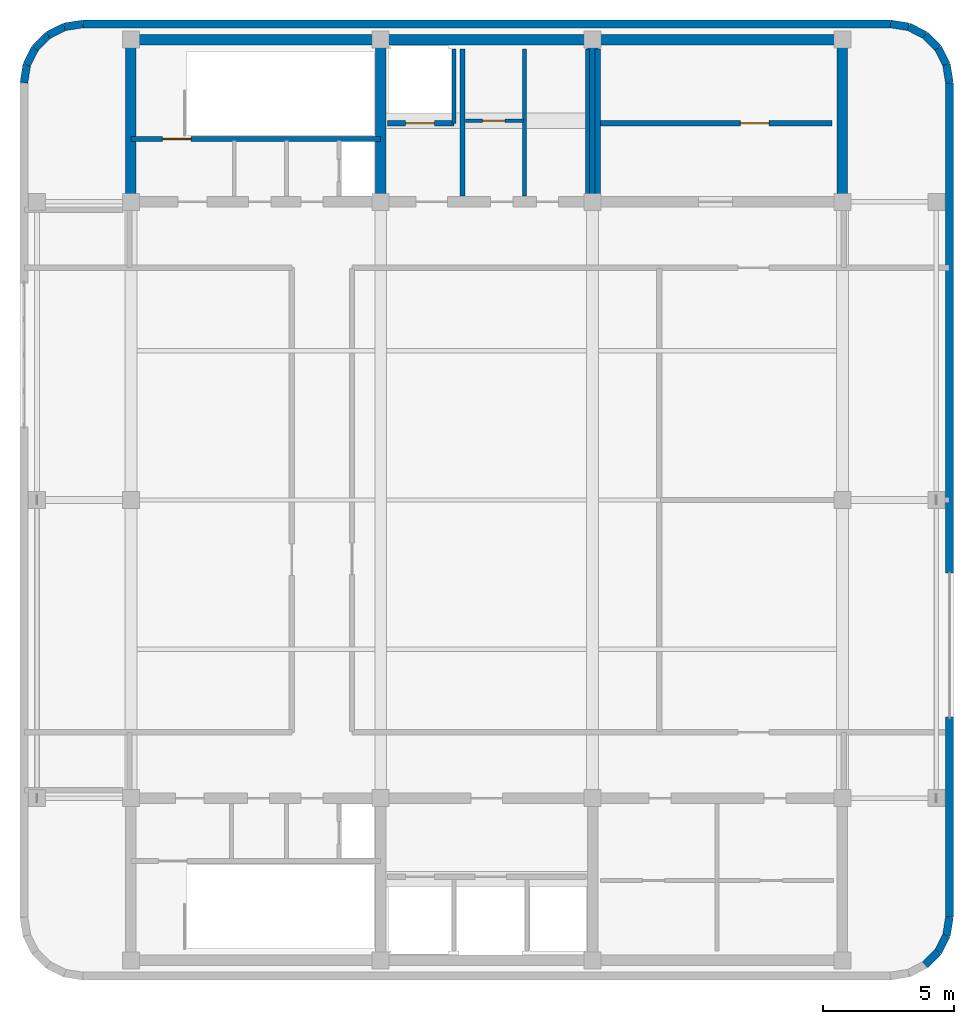
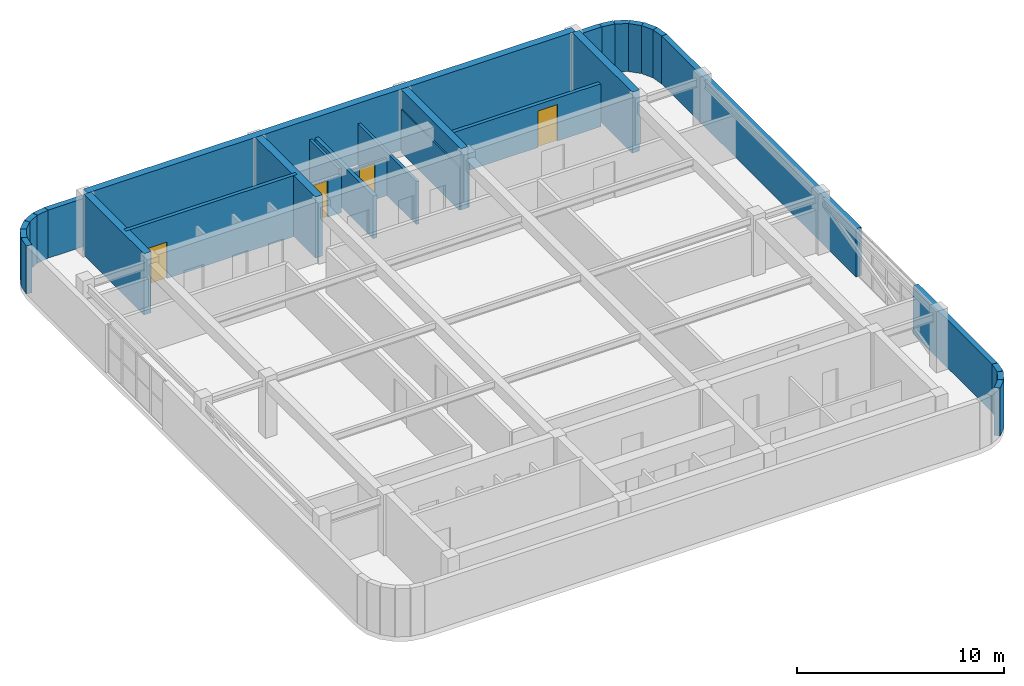
# One storey, part 6 of 9: 30 walls, 4 doors, 4 openings.
"""IFC4 building model written with IfcOpenShell, lengths in metres."""

import ifcopenshell
import ifcopenshell.guid

model = None  # the IFC model being written
_history = None  # IfcOwnerHistory: only IFC2X3 demands one
_inside = {}  # id of a spatial element -> (the spatial element, [elements in it])
_under = {}  # id of a project, library or spatial element -> (it, [spatial elements below it])
_declared = {}  # id of a project -> (the project, [libraries it declares])
_typed = {}  # id of a type object -> (the type object, [elements of that type])
_made_of = {}  # id of a material, layer set ... -> (it, [elements and type objects made of it])


def new_model(schema):
    """Start an empty IFC model of exactly this schema.

    Asked for "IFC4X3", IfcOpenShell would pick the latest addendum, in which some entities
    have other attributes; the version numbers below select the first issue.
    IFC2X3 requires an IfcOwnerHistory on every rooted entity: one is made here for all.
    """
    global model, _history
    if schema == "IFC4X3":
        model = ifcopenshell.file(schema_version=(4, 3, 0, 0))
    else:
        model = ifcopenshell.file(schema=schema)
    _inside.clear()
    _under.clear()
    _declared.clear()
    _typed.clear()
    _made_of.clear()
    _history = None
    if model.schema == "IFC2X3":
        org = make("IfcOrganization", Name="unknown")
        user = make(
            "IfcPersonAndOrganization",
            ThePerson=make("IfcPerson", FamilyName="unknown"),
            TheOrganization=org,
        )
        app = make(
            "IfcApplication",
            ApplicationDeveloper=org,
            Version="unknown",
            ApplicationFullName="unknown",
            ApplicationIdentifier="unknown",
        )
        _history = make(
            "IfcOwnerHistory",
            OwningUser=user,
            OwningApplication=app,
            ChangeAction="ADDED",
            CreationDate=0,
        )
    return model


def make(cls, **values):
    """One entity of the class cls with the attributes given. An attribute that is None is left unset."""
    return model.create_entity(
        cls, **{name: value for name, value in values.items() if value is not None}
    )


def rooted(cls, **values):
    """An entity with a GlobalId (a new one), such as an element, a storey or a relation."""
    return make(cls, GlobalId=ifcopenshell.guid.new(), OwnerHistory=_history, **values)


def si_unit(unit_type, name, prefix=None):
    """IfcSIUnit, for example si_unit("LENGTHUNIT", "METRE", prefix="MILLI")."""
    return make("IfcSIUnit", UnitType=unit_type, Prefix=prefix, Name=name)


def assignment(units):
    """IfcUnitAssignment: the units of a project."""
    return None if units is None else make("IfcUnitAssignment", Units=units)


def point(xyz):
    """IfcCartesianPoint."""
    return None if xyz is None else make("IfcCartesianPoint", Coordinates=xyz)


def direction(xyz):
    """IfcDirection."""
    return None if xyz is None else make("IfcDirection", DirectionRatios=xyz)


def frame(location, z_axis=None, x_axis=None):
    """IfcAxis2Placement3D, a coordinate frame: its origin and axes. An axis left out is left unset."""
    return make(
        "IfcAxis2Placement3D",
        Location=point(location),
        Axis=direction(z_axis),
        RefDirection=direction(x_axis),
    )


def frame_2d(location, x_axis=None):
    """IfcAxis2Placement2D, a coordinate frame in the plane: its origin and x axis."""
    return make(
        "IfcAxis2Placement2D", Location=point(location), RefDirection=direction(x_axis)
    )


def origin():
    """The frame at (0, 0, 0) with its axes left unset."""
    return frame((0.0, 0.0, 0.0))


def place(relative_to, where):
    """IfcLocalPlacement: puts the frame where relative to a parent placement (None: the world)."""
    return make(
        "IfcLocalPlacement", PlacementRelTo=relative_to, RelativePlacement=where
    )


def context(
    kind, dimensions, precision=None, world=None, true_north=None, identifier=None
):
    """IfcGeometricRepresentationContext, for example the 3D "Model" context."""
    return make(
        "IfcGeometricRepresentationContext",
        ContextIdentifier=identifier,
        ContextType=kind,
        CoordinateSpaceDimension=dimensions,
        Precision=precision,
        WorldCoordinateSystem=world,
        TrueNorth=true_north,
    )


def subcontext(parent, identifier, kind, view, scale=None):
    """IfcGeometricRepresentationSubContext, for example "Body" below "Model"."""
    return make(
        "IfcGeometricRepresentationSubContext",
        ContextIdentifier=identifier,
        ContextType=kind,
        ParentContext=parent,
        TargetScale=scale,
        TargetView=view,
    )


def project(units=None, contexts=None):
    """IfcProject with its units and contexts."""
    return rooted(
        "IfcProject",
        Name="project",
        RepresentationContexts=contexts,
        UnitsInContext=assignment(units),
    )


def spatial(cls, under=None, at=None, **own):
    """A site, building, storey or space (cls), placed at a placement, below another one or the project."""
    s = rooted(cls, ObjectPlacement=at, **own)
    if under is not None:
        _under.setdefault(under.id(), (under, []))[1].append(s)
    return s


def profile(cls, at=None, kind="AREA", **sizes):
    """A parametric profile (cls). Its sizes go by their IFC names, for example OverallWidth=200.0."""
    return make(cls, ProfileType=kind, Position=at, **sizes)


def rectangle(**sizes):
    """IfcRectangleProfileDef."""
    return profile("IfcRectangleProfileDef", **sizes)


def extrude(swept, where, along, depth):
    """IfcExtrudedAreaSolid: the profile swept, set in the frame where, extruded along a direction by depth."""
    return make(
        "IfcExtrudedAreaSolid",
        SweptArea=swept,
        Position=where,
        ExtrudedDirection=direction(along),
        Depth=depth,
    )


def shape(context_of_items, identifier, shape_type, items):
    """IfcShapeRepresentation: the items that make up one representation, for example the "Body"."""
    return make(
        "IfcShapeRepresentation",
        ContextOfItems=context_of_items,
        RepresentationIdentifier=identifier,
        RepresentationType=shape_type,
        Items=items,
    )


def material(Name=None, Category=None):
    """IfcMaterial."""
    return make("IfcMaterial", Name=Name, Category=Category)


def layer(
    of_material, thickness, ventilated=None, Name=None, Category=None, Priority=None
):
    """IfcMaterialLayer: one layer of a wall or slab, of a material (None: an air gap)."""
    return make(
        "IfcMaterialLayer",
        Material=of_material,
        LayerThickness=thickness,
        IsVentilated=ventilated,
        Name=Name,
        Category=Category,
        Priority=Priority,
    )


def layer_set(layers, Name=None):
    """IfcMaterialLayerSet."""
    return make("IfcMaterialLayerSet", MaterialLayers=layers, LayerSetName=Name)


def made_of(thing, what):
    """Note that an element or type object is made of a material, layer set ...; save() writes the relation."""
    if what is not None:
        _made_of.setdefault(what.id(), (what, []))[1].append(thing)
    return thing


def type_object(cls, material=None, **own):
    """A type object (cls), such as IfcWallType, which elements share."""
    return made_of(rooted(cls, **own), material)


def element(
    cls,
    number,
    at=None,
    inside=None,
    cuts=None,
    type_object=None,
    material=None,
    context=None,
    identifier="Body",
    shape_type=None,
    held_by="IfcProductDefinitionShape",
    body=None,
    shapes=None,
    **own,
):
    """One element of the class cls, such as IfcWall. Its Tag is "e" and its number.

    at: its placement. inside: the storey or other place that contains it. cuts: it is an
    opening in that element (IfcRelVoidsElement). A single representation is given by context,
    identifier, shape_type and body (its items); several are given by shapes. held_by: the class
    of the entity that holds the representations. save() writes the other relations.
    """
    e = rooted(cls, Tag="e%d" % number, ObjectPlacement=at, **own)
    if body is not None:
        shapes = [shape(context, identifier, shape_type, body)]
    if shapes is not None:
        e.Representation = make(held_by, Representations=shapes)
    if inside is not None:
        _inside.setdefault(inside.id(), (inside, []))[1].append(e)
    if cuts is not None:
        rooted(
            "IfcRelVoidsElement", RelatingBuildingElement=cuts, RelatedOpeningElement=e
        )
    if type_object is not None:
        _typed.setdefault(type_object.id(), (type_object, []))[1].append(e)
    return made_of(e, material)


def fill(opening, filler):
    """IfcRelFillsElement: the door or window that sits in an opening."""
    return rooted(
        "IfcRelFillsElement",
        RelatingOpeningElement=opening,
        RelatedBuildingElement=filler,
    )


def aggregate(whole, parts):
    """IfcRelAggregates: a whole, such as a stair, and the parts it consists of."""
    return rooted("IfcRelAggregates", RelatingObject=whole, RelatedObjects=parts)


def save(model, path):
    """Write the relations noted so far, then the file.

    IfcRelAggregates (storeys below a building ...), IfcRelContainedInSpatialStructure (elements
    in a storey), IfcRelDefinesByType, IfcRelAssociatesMaterial and IfcRelDeclares: one each for
    every whole, place, type object, material and project.
    """
    for whole, parts in _under.values():
        aggregate(whole, parts)
    for where, things in _inside.values():
        rooted(
            "IfcRelContainedInSpatialStructure",
            RelatedElements=things,
            RelatingStructure=where,
        )
    for kind, things in _typed.values():
        rooted("IfcRelDefinesByType", RelatedObjects=things, RelatingType=kind)
    for what, things in _made_of.values():
        rooted("IfcRelAssociatesMaterial", RelatedObjects=things, RelatingMaterial=what)
    for by, libraries in _declared.values():
        rooted("IfcRelDeclares", RelatingContext=by, RelatedDefinitions=libraries)
    model.write(path)


model = new_model("IFC4")

# Units and contexts
model_context = context("Model", 3, precision=1e-05, world=origin(), true_north=direction((0.0, 1.0)))
body_context = subcontext(model_context, "Body", "Model", "MODEL_VIEW")
ifc_project = project(units=[si_unit("LENGTHUNIT", "METRE"), si_unit("AREAUNIT", "SQUARE_METRE"), si_unit("VOLUMEUNIT", "CUBIC_METRE"), si_unit("PLANEANGLEUNIT", "RADIAN"), si_unit("MASSUNIT", "GRAM", prefix="KILO")], contexts=[model_context])

# Site, building, storey
site_placement = place(None, origin())
site = spatial("IfcSite", under=ifc_project, at=site_placement, CompositionType="ELEMENT")
building_placement = place(site_placement, origin())
building = spatial("IfcBuilding", under=site, at=building_placement, Name="Svetorya Sky Lyceum", CompositionType="ELEMENT")
storey_placement = place(building_placement, frame((0.0, 0.0, 320.0)))
storey = spatial("IfcBuildingStorey", under=building, at=storey_placement, Name="C06", CompositionType="ELEMENT", Elevation=320.0)

# Walls
ifc_material_1 = material(Name="Concrete C40/50", Category="concrete")
ifc_layer_1 = layer(ifc_material_1, 0.39990234375)
ifc_layer_set_1 = layer_set([ifc_layer_1], Name="Concrete C40/50")
wall_type_1 = type_object("IfcWallType", Name="WL-CORE-400", PredefinedType="SHEAR", material=ifc_layer_set_1)
wall_1_placement = place(storey_placement, frame((25.60009765625, 45.800048828125, 0.0), z_axis=(0.0, 0.0, 1.0), x_axis=(1.0, 0.0, 0.0)))
element("IfcWall", 1, at=wall_1_placement, inside=storey, type_object=wall_type_1, Name="C06 NC Outer Core Shear Wall", PredefinedType="SHEAR", context=body_context, shape_type="SweptSolid", body=[
    extrude(rectangle(XDim=27.199951171875, YDim=0.39990234375, at=frame_2d((13.60009765625, 0.0))), origin(), (0.0, 0.0, 1.0), 3.60009765625),
])
for number, where, z_axis, x_axis, name in (
    (2, (25.60009765625, 39.800048828125, 0.0), (0.0, 0.0, 1.0), (0.0, 1.0, 0.0), "C06 NC West Core Shear Wall"),
    (3, (52.800048828125, 39.800048828125, 0.0), (0.0, 0.0, 1.0), (0.0, 1.0, 0.0), "C06 NC East Core Shear Wall"),
    (4, (35.14990234375, 39.800048828125, 0.0), (0.0, 0.0, 1.0), (0.0, 1.0, 0.0), "C06 NC Internal Shear Web WEB1"),
    (5, (43.25, 39.800048828125, 0.0), (0.0, 0.0, 1.0), (0.0, 1.0, 0.0), "C06 NC Internal Shear Web WEB2"),
):
    element("IfcWall", number, at=place(storey_placement, frame(where, z_axis=z_axis, x_axis=x_axis)), inside=storey, type_object=wall_type_1, Name=name, PredefinedType="SHEAR", context=body_context, shape_type="SweptSolid", body=[
        extrude(rectangle(XDim=5.800048828125, YDim=0.39990234375, at=frame_2d((2.89990234375, 0.0))), origin(), (0.0, 0.0, 1.0), 3.60009765625),
    ])
ifc_material_2 = material(Name="Putilovo limestone rainscreen on autoclaved cellular masonry", Category="masonry")
ifc_layer_2 = layer(ifc_material_2, 0.300048828125)
ifc_layer_set_2 = layer_set([ifc_layer_2], Name="Putilovo limestone rainscreen on autoclaved cellular masonry")
wall_type_2 = type_object("IfcWallType", Name="WL-EXT-300", PredefinedType="SOLIDWALL", material=ifc_layer_set_2)
wall_2_placement = place(storey_placement, frame((55.96240234375, 10.4296875, 0.0), z_axis=(0.0, 0.0, 1.0), x_axis=(0.707106781187, 0.707106781187, 0.0)))
element("IfcWall", 6, at=wall_2_placement, inside=storey, type_object=wall_type_2, Name="C06 Limestone Exterior Wall 9M", PredefinedType="SOLIDWALL", context=body_context, shape_type="SweptSolid", body=[
    extrude(rectangle(XDim=0.7041015625, YDim=0.300048828125, at=frame_2d((0.35205078125, 0.0))), origin(), (0.0, 0.0, 1.0), 2.830078125),
])
for number, where, z_axis, x_axis, name in (
    (7, (56.460205078125, 10.927490234375, 0.0), (0.0, 0.0, 1.0), (0.453998517824, 0.891002438725, 0.0), "C06 Limestone Exterior Wall 10M"),
    (8, (56.77978515625, 11.5546875, 0.0), (0.0, 0.0, 1.0), (0.156407776626, 0.987692567255, 0.0), "C06 Limestone Exterior Wall 11M"),
):
    element("IfcWall", number, at=place(storey_placement, frame(where, z_axis=z_axis, x_axis=x_axis)), inside=storey, type_object=wall_type_2, Name=name, PredefinedType="SOLIDWALL", context=body_context, shape_type="SweptSolid", body=[
        extrude(rectangle(XDim=0.703857421875, YDim=0.300048828125, at=frame_2d((0.35205078125, 0.0))), origin(), (0.0, 0.0, 1.0), 2.830078125),
    ])
wall_3_placement = place(storey_placement, frame((56.889892578125, 12.25, 0.0), z_axis=(0.0, 0.0, 1.0), x_axis=(0.0, 1.0, 0.0)))
element("IfcWall", 9, at=wall_3_placement, inside=storey, type_object=wall_type_2, Name="C06 Limestone Exterior Wall 12A", PredefinedType="SOLIDWALL", context=body_context, shape_type="SweptSolid", body=[
    extrude(rectangle(XDim=7.64990234375, YDim=0.300048828125, at=frame_2d((3.824951171875, 0.0))), origin(), (0.0, 0.0, 1.0), 2.830078125),
])
wall_4_placement = place(storey_placement, frame((56.889892578125, 25.39990234375, 0.0), z_axis=(0.0, 0.0, 1.0), x_axis=(0.0, 1.0, 0.0)))
element("IfcWall", 10, at=wall_4_placement, inside=storey, type_object=wall_type_2, Name="C06 Limestone Exterior Wall 12B", PredefinedType="SOLIDWALL", context=body_context, shape_type="SweptSolid", body=[
    extrude(rectangle(XDim=18.75, YDim=0.300048828125, at=frame_2d((9.375, 0.0))), origin(), (0.0, 0.0, 1.0), 2.830078125),
])
for number, where, z_axis, x_axis, name in (
    (11, (56.889892578125, 44.14990234375, 0.0), (0.0, 0.0, 1.0), (-0.156407776626, 0.987692567255, 0.0), "C06 Limestone Exterior Wall 13M"),
    (12, (56.77978515625, 44.84521484375, 0.0), (0.0, 0.0, 1.0), (-0.453998517824, 0.891002438725, 0.0), "C06 Limestone Exterior Wall 14M"),
):
    element("IfcWall", number, at=place(storey_placement, frame(where, z_axis=z_axis, x_axis=x_axis)), inside=storey, type_object=wall_type_2, Name=name, PredefinedType="SOLIDWALL", context=body_context, shape_type="SweptSolid", body=[
        extrude(rectangle(XDim=0.703857421875, YDim=0.300048828125, at=frame_2d((0.35205078125, 0.0))), origin(), (0.0, 0.0, 1.0), 2.830078125),
    ])
wall_5_placement = place(storey_placement, frame((56.460205078125, 45.472412109375, 0.0), z_axis=(0.0, 0.0, 1.0), x_axis=(-0.707106781187, 0.707106781187, 0.0)))
element("IfcWall", 13, at=wall_5_placement, inside=storey, type_object=wall_type_2, Name="C06 Limestone Exterior Wall 15M", PredefinedType="SOLIDWALL", context=body_context, shape_type="SweptSolid", body=[
    extrude(rectangle(XDim=0.7041015625, YDim=0.300048828125, at=frame_2d((0.35205078125, 0.0))), origin(), (0.0, 0.0, 1.0), 2.830078125),
])
for number, where, z_axis, x_axis, name in (
    (14, (55.96240234375, 45.97021484375, 0.0), (0.0, 0.0, 1.0), (-0.891002438725, 0.453998517824, 0.0), "C06 Limestone Exterior Wall 16M"),
    (15, (55.335205078125, 46.289794921875, 0.0), (0.0, 0.0, 1.0), (-0.987692567255, 0.156407776626, 0.0), "C06 Limestone Exterior Wall 17M"),
):
    element("IfcWall", number, at=place(storey_placement, frame(where, z_axis=z_axis, x_axis=x_axis)), inside=storey, type_object=wall_type_2, Name=name, PredefinedType="SOLIDWALL", context=body_context, shape_type="SweptSolid", body=[
        extrude(rectangle(XDim=0.703857421875, YDim=0.300048828125, at=frame_2d((0.35205078125, 0.0))), origin(), (0.0, 0.0, 1.0), 2.830078125),
    ])
wall_6_placement = place(storey_placement, frame((54.639892578125, 46.39990234375, 0.0), z_axis=(0.0, 0.0, 1.0), x_axis=(-1.0, 0.0, 0.0)))
element("IfcWall", 16, at=wall_6_placement, inside=storey, type_object=wall_type_2, Name="C06 Limestone Exterior Wall 18M", PredefinedType="SOLIDWALL", context=body_context, shape_type="SweptSolid", body=[
    extrude(rectangle(XDim=30.8798828125, YDim=0.300048828125, at=frame_2d((15.43994140625, 0.0))), origin(), (0.0, 0.0, 1.0), 2.830078125),
])
for number, where, z_axis, x_axis, name in (
    (17, (23.760009765625, 46.39990234375, 0.0), (0.0, 0.0, 1.0), (-0.987692567255, -0.156407776626, 0.0), "C06 Limestone Exterior Wall 19M"),
    (18, (23.064697265625, 46.289794921875, 0.0), (0.0, 0.0, 1.0), (-0.891002438725, -0.453998517824, 0.0), "C06 Limestone Exterior Wall 20M"),
):
    element("IfcWall", number, at=place(storey_placement, frame(where, z_axis=z_axis, x_axis=x_axis)), inside=storey, type_object=wall_type_2, Name=name, PredefinedType="SOLIDWALL", context=body_context, shape_type="SweptSolid", body=[
        extrude(rectangle(XDim=0.703857421875, YDim=0.300048828125, at=frame_2d((0.35205078125, 0.0))), origin(), (0.0, 0.0, 1.0), 2.830078125),
    ])
wall_7_placement = place(storey_placement, frame((22.4375, 45.97021484375, 0.0), z_axis=(0.0, 0.0, 1.0), x_axis=(-0.707106781187, -0.707106781187, 0.0)))
element("IfcWall", 19, at=wall_7_placement, inside=storey, type_object=wall_type_2, Name="C06 Limestone Exterior Wall 21M", PredefinedType="SOLIDWALL", context=body_context, shape_type="SweptSolid", body=[
    extrude(rectangle(XDim=0.7041015625, YDim=0.300048828125, at=frame_2d((0.35205078125, 0.0))), origin(), (0.0, 0.0, 1.0), 2.830078125),
])
for number, where, z_axis, x_axis, name in (
    (20, (21.939697265625, 45.472412109375, 0.0), (0.0, 0.0, 1.0), (-0.453998517824, -0.891002438725, 0.0), "C06 Limestone Exterior Wall 22M"),
    (21, (21.6201171875, 44.84521484375, 0.0), (0.0, 0.0, 1.0), (-0.156407776626, -0.987692567255, 0.0), "C06 Limestone Exterior Wall 23M"),
):
    element("IfcWall", number, at=place(storey_placement, frame(where, z_axis=z_axis, x_axis=x_axis)), inside=storey, type_object=wall_type_2, Name=name, PredefinedType="SOLIDWALL", context=body_context, shape_type="SweptSolid", body=[
        extrude(rectangle(XDim=0.703857421875, YDim=0.300048828125, at=frame_2d((0.35205078125, 0.0))), origin(), (0.0, 0.0, 1.0), 2.830078125),
    ])

# Wall, opening, door
ifc_material_3 = material(Name="Twin-stud galvanized framing with double fireboard", Category="gypsum")
ifc_layer_3 = layer(ifc_material_3, 0.1201171875)
ifc_layer_set_3 = layer_set([ifc_layer_3], Name="Twin-stud galvanized framing with double fireboard")
wall_type_3 = type_object("IfcWallType", Name="WL-PART-120", PredefinedType="PARTITIONING", material=ifc_layer_set_3)
wall_8_placement = place(storey_placement, frame((38.39990234375, 42.699951171875, 0.0), z_axis=(0.0, 0.0, 1.0), x_axis=(1.0, 0.0, 0.0)))
wall_8 = element("IfcWall", 22, at=wall_8_placement, inside=storey, type_object=wall_type_3, Name="C06 Interior Partition NC-FPM-H", PredefinedType="PARTITIONING", context=body_context, shape_type="SweptSolid", body=[
    extrude(rectangle(XDim=2.2001953125, YDim=0.1201171875, at=frame_2d((1.10009765625, 0.0))), origin(), (0.0, 0.0, 1.0), 2.18994140625),
])
opening_1_placement = place(wall_8_placement, frame((0.64990234375, 0.0, 0.0)))
opening_1 = element("IfcOpeningElement", 23, at=opening_1_placement, cuts=wall_8, Name="Opening D-CWC1", PredefinedType="OPENING", context=body_context, shape_type="SweptSolid", body=[
    extrude(rectangle(XDim=0.85009765625, YDim=2.10009765625, at=frame_2d((0.425048828125, 1.050048828125))), frame((0.0, 0.070068359375, 0.0), z_axis=(0.0, -1.0, 0.0), x_axis=(1.0, 0.0, 0.0)), (0.0, 0.0, 1.0), 0.14013671875),
])
ifc_material_4 = material(Name="Fire-rated galvanized steel core service closet door", Category="steel")
door_type_1 = type_object("IfcDoorType", Name="DR-CWET-850", OperationType="SINGLE_SWING_LEFT", PredefinedType="DOOR", material=ifc_material_4)
door_1_placement = place(opening_1_placement, origin())
door_1 = element("IfcDoor", 24, at=door_1_placement, inside=storey, type_object=door_type_1, Name="C06 Rear IT Closet Door", OperationType="SINGLE_SWING_LEFT", OverallHeight=2.10009765625, OverallWidth=0.85009765625, PredefinedType="DOOR", context=body_context, shape_type="SweptSolid", body=[
    extrude(rectangle(XDim=0.85009765625, YDim=2.10009765625, at=frame_2d((0.425048828125, 1.050048828125))), frame((0.0, 0.02490234375, 0.0), z_axis=(0.0, -1.0, 0.0), x_axis=(1.0, 0.0, 0.0)), (0.0, 0.0, 1.0), 0.050048828125),
])
fill(opening_1, door_1)

# Walls
ifc_material_5 = material(Name="Autoclaved cellular masonry blockwork with acoustic render", Category="masonry")
ifc_layer_4 = layer(ifc_material_5, 0.14990234375)
ifc_layer_set_4 = layer_set([ifc_layer_4], Name="Autoclaved cellular masonry blockwork with acoustic render")
wall_type_4 = type_object("IfcWallType", Name="WL-PART-150", PredefinedType="PARTITIONING", material=ifc_layer_set_4)
wall_9_placement = place(storey_placement, frame((37.949951171875, 42.60009765625, 0.0), z_axis=(0.0, 0.0, 1.0), x_axis=(0.0, 1.0, 0.0)))
element("IfcWall", 25, at=wall_9_placement, inside=storey, type_object=wall_type_4, Name="C06 Interior Partition NC-FL1SIDE", PredefinedType="PARTITIONING", context=body_context, shape_type="SweptSolid", body=[
    extrude(rectangle(XDim=2.849853515625, YDim=0.14990234375, at=frame_2d((1.4248046875, 0.0))), origin(), (0.0, 0.0, 1.0), 2.530029296875),
])
for number, where, z_axis, x_axis, name in (
    (26, (43.050048828125, 39.820068359375, 0.0), (0.0, 0.0, 1.0), (0.0, 1.0, 0.0), "C06 Interior Partition NC-FPM-END"),
    (27, (40.64990234375, 39.820068359375, 0.0), (0.0, 0.0, 1.0), (0.0, 1.0, 0.0), "C06 Interior Partition NC-FPM-V"),
):
    element("IfcWall", number, at=place(storey_placement, frame(where, z_axis=z_axis, x_axis=x_axis)), inside=storey, type_object=wall_type_4, Name=name, PredefinedType="PARTITIONING", context=body_context, shape_type="SweptSolid", body=[
        extrude(rectangle(XDim=5.6298828125, YDim=0.14990234375, at=frame_2d((2.81494140625, 0.0))), origin(), (0.0, 0.0, 1.0), 2.530029296875),
    ])

# Wall, opening, door
ifc_material_6 = material(Name="Autoclaved cellular masonry blockwork with gypsum plaster", Category="masonry")
ifc_layer_5 = layer(ifc_material_6, 0.199951171875)
ifc_layer_set_5 = layer_set([ifc_layer_5], Name="Autoclaved cellular masonry blockwork with gypsum plaster")
wall_type_5 = type_object("IfcWallType", Name="WL-PART-200", PredefinedType="PARTITIONING", material=ifc_layer_set_5)
wall_10_placement = place(storey_placement, frame((37.949951171875, 42.60009765625, 0.0), z_axis=(0.0, 0.0, 1.0), x_axis=(-1.0, 0.0, 0.0)))
wall_10 = element("IfcWall", 28, at=wall_10_placement, inside=storey, type_object=wall_type_5, Name="C06 Interior Partition NC-FL1W", PredefinedType="PARTITIONING", context=body_context, shape_type="SweptSolid", body=[
    extrude(rectangle(XDim=2.550048828125, YDim=0.199951171875, at=frame_2d((1.27490234375, 0.0))), origin(), (0.0, 0.0, 1.0), 2.18994140625),
])
opening_2_placement = place(wall_10_placement, frame((0.75, 0.0, 0.0)))
opening_2 = element("IfcOpeningElement", 29, at=opening_2_placement, cuts=wall_10, Name="Opening LD-FL", PredefinedType="OPENING", context=body_context, shape_type="SweptSolid", body=[
    extrude(rectangle(XDim=1.10009765625, YDim=2.14990234375, at=frame_2d((0.550048828125, 1.074951171875))), frame((0.0, 0.10986328125, 0.0), z_axis=(0.0, -1.0, 0.0), x_axis=(1.0, 0.0, 0.0)), (0.0, 0.0, 1.0), 0.219970703125),
])
ifc_material_7 = material(Name="Fire-rated stainless AISI 304 firefighting lift landing door")
door_type_2 = type_object("IfcDoorType", Name="DR-LIFT-1100", OperationType="SLIDING_TO_LEFT", PredefinedType="DOOR", material=ifc_material_7)
door_2_placement = place(opening_2_placement, origin())
door_2 = element("IfcDoor", 30, at=door_2_placement, inside=storey, type_object=door_type_2, Name="C06 Firefighting Lift FL1 Landing Door", OperationType="SLIDING_TO_LEFT", OverallHeight=2.14990234375, OverallWidth=1.10009765625, PredefinedType="DOOR", context=body_context, shape_type="SweptSolid", body=[
    extrude(rectangle(XDim=1.10009765625, YDim=2.14990234375, at=frame_2d((0.550048828125, 1.074951171875))), frame((0.0, 0.02490234375, 0.0), z_axis=(0.0, -1.0, 0.0), x_axis=(1.0, 0.0, 0.0)), (0.0, 0.0, 1.0), 0.050048828125),
])
fill(opening_2, door_2)

# Walls
for number, where, z_axis, x_axis, name in (
    (31, (38.280029296875, 39.820068359375, 0.0), (0.0, 0.0, 1.0), (0.0, 1.0, 0.0), "C06 Interior Partition NC-FFLDIV"),
    (32, (43.449951171875, 39.820068359375, 0.0), (0.0, 0.0, 1.0), (0.0, 1.0, 0.0), "C06 Interior Partition NC-CPMR-W"),
):
    element("IfcWall", number, at=place(storey_placement, frame(where, z_axis=z_axis, x_axis=x_axis)), inside=storey, type_object=wall_type_5, Name=name, PredefinedType="PARTITIONING", context=body_context, shape_type="SweptSolid", body=[
        extrude(rectangle(XDim=5.6298828125, YDim=0.199951171875, at=frame_2d((2.81494140625, 0.0))), origin(), (0.0, 0.0, 1.0), 2.530029296875),
    ])

# Wall, opening, door
wall_11_placement = place(storey_placement, frame((52.39990234375, 42.60009765625, 0.0), z_axis=(0.0, 0.0, 1.0), x_axis=(-1.0, 0.0, 0.0)))
wall_11 = element("IfcWall", 33, at=wall_11_placement, inside=storey, type_object=wall_type_5, Name="C06 Interior Partition NC-PHW", PredefinedType="PARTITIONING", context=body_context, shape_type="SweptSolid", body=[
    extrude(rectangle(XDim=8.849853515625, YDim=0.199951171875, at=frame_2d((4.4248046875, 0.0))), origin(), (0.0, 0.0, 1.0), 2.530029296875),
])
opening_3_placement = place(wall_11_placement, frame((2.39990234375, 0.0, 0.0)))
opening_3 = element("IfcOpeningElement", 34, at=opening_3_placement, cuts=wall_11, Name="Opening D-ST1", PredefinedType="OPENING", context=body_context, shape_type="SweptSolid", body=[
    extrude(rectangle(XDim=1.10009765625, YDim=2.14990234375, at=frame_2d((0.550048828125, 1.074951171875))), frame((0.0, 0.10986328125, 0.0), z_axis=(0.0, -1.0, 0.0), x_axis=(1.0, 0.0, 0.0)), (0.0, 0.0, 1.0), 0.219970703125),
])
ifc_material_8 = material(Name="Powder-coated insulated galvanized stair fire door")
door_type_3 = type_object("IfcDoorType", Name="DR-FIRE-1100", OperationType="SINGLE_SWING_LEFT", PredefinedType="DOOR", material=ifc_material_8)
door_3_placement = place(opening_3_placement, origin())
door_3 = element("IfcDoor", 35, at=door_3_placement, inside=storey, type_object=door_type_3, Name="C06 Lift Motor Room Door", OperationType="SINGLE_SWING_LEFT", OverallHeight=2.14990234375, OverallWidth=1.10009765625, PredefinedType="DOOR", context=body_context, shape_type="SweptSolid", body=[
    extrude(rectangle(XDim=1.10009765625, YDim=2.14990234375, at=frame_2d((0.550048828125, 1.074951171875))), frame((0.0, 0.02490234375, 0.0), z_axis=(0.0, -1.0, 0.0), x_axis=(1.0, 0.0, 0.0)), (0.0, 0.0, 1.0), 0.050048828125),
])
fill(opening_3, door_3)

ifc_material_9 = material(Name="Concrete C50/60", Category="concrete")
ifc_layer_6 = layer(ifc_material_9, 0.199951171875)
ifc_layer_set_6 = layer_set([ifc_layer_6], Name="Concrete C50/60")
wall_type_6 = type_object("IfcWallType", Name="WL-SHW-200", PredefinedType="SHEAR", material=ifc_layer_set_6)
wall_12_placement = place(storey_placement, frame((35.14990234375, 42.0, 0.0), z_axis=(0.0, 0.0, 1.0), x_axis=(-1.0, 0.0, 0.0)))
wall_12 = element("IfcWall", 36, at=wall_12_placement, inside=storey, type_object=wall_type_6, Name="C06 Structural Stair Shaft Wall NC-STW", PredefinedType="SHEAR", context=body_context, shape_type="SweptSolid", body=[
    extrude(rectangle(XDim=9.5498046875, YDim=0.199951171875, at=frame_2d((4.77490234375, 0.0))), origin(), (0.0, 0.0, 1.0), 3.60009765625),
])
opening_4_placement = place(wall_12_placement, frame((7.25, 0.0, 0.0)))
opening_4 = element("IfcOpeningElement", 37, at=opening_4_placement, cuts=wall_12, Name="Opening D-ST1", PredefinedType="OPENING", context=body_context, shape_type="SweptSolid", body=[
    extrude(rectangle(XDim=1.10009765625, YDim=2.14990234375, at=frame_2d((0.550048828125, 1.074951171875))), frame((0.0, 0.10986328125, 0.0), z_axis=(0.0, -1.0, 0.0), x_axis=(1.0, 0.0, 0.0)), (0.0, 0.0, 1.0), 0.219970703125),
])
door_4_placement = place(opening_4_placement, origin())
door_4 = element("IfcDoor", 38, at=door_4_placement, inside=storey, type_object=door_type_3, Name="C06 Stair ST-N Vestibule Fire Door", OperationType="SINGLE_SWING_RIGHT", OverallHeight=2.14990234375, OverallWidth=1.10009765625, PredefinedType="DOOR", context=body_context, shape_type="SweptSolid", body=[
    extrude(rectangle(XDim=1.10009765625, YDim=2.14990234375, at=frame_2d((0.550048828125, 1.074951171875))), frame((0.0, 0.02490234375, 0.0), z_axis=(0.0, -1.0, 0.0), x_axis=(1.0, 0.0, 0.0)), (0.0, 0.0, 1.0), 0.050048828125),
])
fill(opening_4, door_4)

save(model, "model.ifc")
